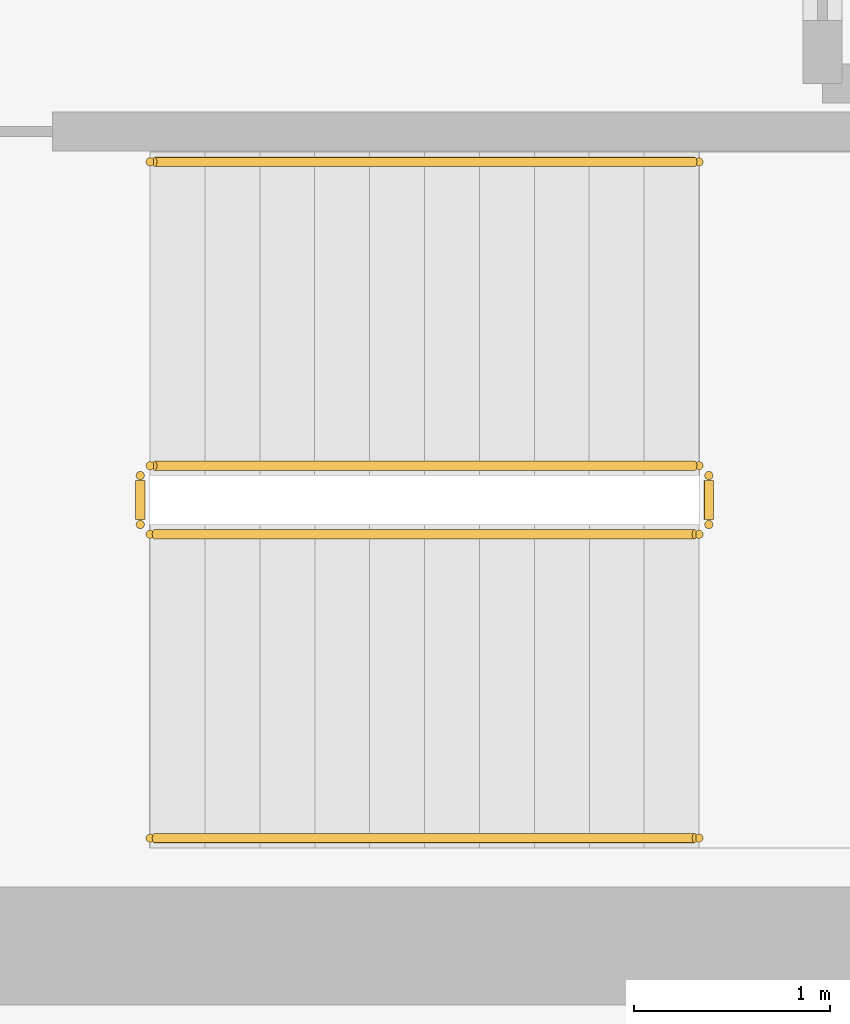
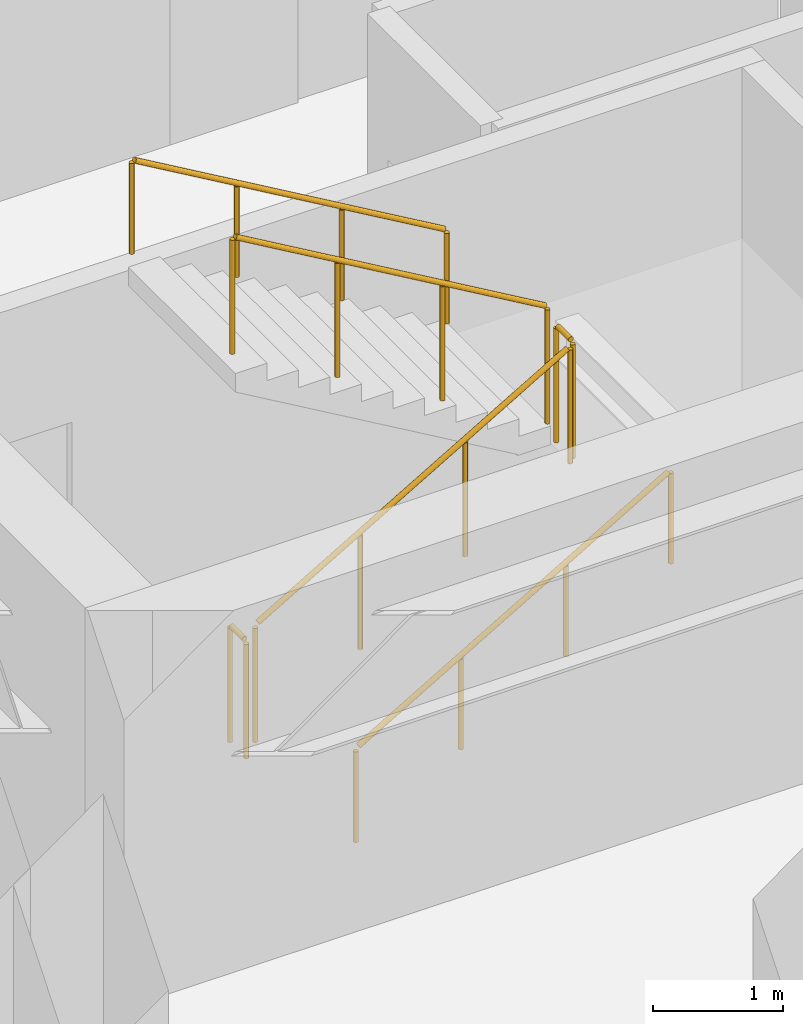
# One storey, part 12 of 12: 6 railings.
"""IFC4 building model written with IfcOpenShell, lengths in metres."""

from ifc_helpers import new_model, si_unit, direction, frame, origin, origin_2d, place, context, subcontext, project, spatial, circle, extrude, source, transform, mapped, material, layer, layer_set, type_object, element, save


model = new_model("IFC4")

# Units and contexts
model_context = context("Model", 3, precision=1e-05, world=origin(), true_north=direction((0.0, 1.0)))
body_context = subcontext(model_context, "Body", "Model", "MODEL_VIEW")
ifc_project = project(units=[si_unit("LENGTHUNIT", "METRE"), si_unit("AREAUNIT", "SQUARE_METRE"), si_unit("VOLUMEUNIT", "CUBIC_METRE"), si_unit("PLANEANGLEUNIT", "RADIAN"), si_unit("MASSUNIT", "GRAM", prefix="KILO")], contexts=[model_context])

# Site, building, storey
site_placement = place(None, origin())
site = spatial("IfcSite", under=ifc_project, at=site_placement, CompositionType="ELEMENT")
building_placement = place(site_placement, origin())
building = spatial("IfcBuilding", under=site, at=building_placement, Name="Kharzan Plaza Tower", CompositionType="ELEMENT")
storey_placement = place(building_placement, frame((0.0, 0.0, 164.699951171875)))
storey = spatial("IfcBuildingStorey", under=building, at=storey_placement, Name="L44", CompositionType="ELEMENT", Elevation=164.699951171875)

# Railings
ifc_material_1 = material(Name="Painted Galvanized Architectural Steel", Category="steel")
ifc_layer_1 = layer(ifc_material_1, 0.074951171875)
ifc_layer_set_1 = layer_set([ifc_layer_1], Name="Painted Galvanized Architectural Steel")
railing_type_1 = type_object("IfcRailingType", Name="RL-GUARD-1120", PredefinedType="BALUSTRADE", material=ifc_layer_set_1)
shared_shape_1 = source(origin(), body_context, "Body", "SweptSolid", [
    extrude(circle(Radius=0.02392578125, at=origin_2d()), frame((0.0, 0.0263671875, 1.09619140625), z_axis=(0.0, 1.0, 0.0), x_axis=(-1.0, 0.0, 0.0)), (0.0, 0.0, 1.0), 0.197021484375),
    extrude(circle(Radius=0.02099609375, at=origin_2d()), origin(), (0.0, 0.0, 1.0), 1.072021484375),
    extrude(circle(Radius=0.02099609375, at=origin_2d()), frame((0.0, 0.25, 0.0)), (0.0, 0.0, 1.0), 1.072021484375),
])
for number, where, name in (
    (1, (41.10009765625, 6.64990234375, 1.800048828125), "L44 ST-3 stair guard 2"),
    (2, (38.199951171875, 6.64990234375, 0.0), "L44 ST-3 stair guard 4"),
):
    element("IfcRailing", number, at=place(storey_placement, frame(where)), inside=storey, type_object=railing_type_1, Name=name, PredefinedType="BALUSTRADE", context=body_context, shape_type="MappedRepresentation", body=[
        mapped(shared_shape_1, transform((0.0, 0.0, 0.0), x_axis=(1.0, 0.0, 0.0), y_axis=(0.0, 1.0, 0.0), z_axis=(0.0, 0.0, 1.0))),
    ])
shared_shape_2 = source(origin(), body_context, "Body", "SweptSolid", [
    extrude(circle(Radius=0.02392578125, at=origin_2d()), frame((0.02294921875, 0.0, 1.109375), z_axis=(0.863360870873, 0.0, 0.504586966384), x_axis=(0.0, 1.0, 0.0)), (0.0, 0.0, 1.0), 3.190185546875),
    extrude(circle(Radius=0.02099609375, at=origin_2d()), origin(), (0.0, 0.0, 1.0), 1.072021484375),
    extrude(circle(Radius=0.02099609375, at=origin_2d()), frame((0.933349609375, 0.0, 0.54541015625)), (0.0, 0.0, 1.0), 1.072021484375),
    extrude(circle(Radius=0.02099609375, at=origin_2d()), frame((1.86669921875, 0.0, 1.091064453125)), (0.0, 0.0, 1.0), 1.072021484375),
    extrude(circle(Radius=0.02099609375, at=origin_2d()), frame((2.800048828125, 0.0, 1.636474609375)), (0.0, 0.0, 1.0), 1.072021484375),
])
railing_1_placement = place(storey_placement, frame((38.25, 6.60009765625, 0.16357421875)))
element("IfcRailing", 3, at=railing_1_placement, inside=storey, type_object=railing_type_1, Name="L44 ST-3 stair guard 1", PredefinedType="BALUSTRADE", context=body_context, shape_type="MappedRepresentation", body=[
    mapped(shared_shape_2, transform((0.0, 0.0, 0.0), x_axis=(1.0, 0.0, 0.0), y_axis=(0.0, 1.0, 0.0), z_axis=(0.0, 0.0, 1.0))),
])
shared_shape_3 = source(origin(), body_context, "Body", "SweptSolid", [
    extrude(circle(Radius=0.02392578125, at=origin_2d()), frame((-0.02294921875, 0.0, 1.109375), z_axis=(-0.863360870873, 0.0, 0.504586966384), x_axis=(0.0, -1.0, 0.0)), (0.0, 0.0, 1.0), 3.190185546875),
    extrude(circle(Radius=0.02099609375, at=origin_2d()), origin(), (0.0, 0.0, 1.0), 1.072021484375),
    extrude(circle(Radius=0.02099609375, at=origin_2d()), frame((-0.933349609375, 0.0, 0.54541015625)), (0.0, 0.0, 1.0), 1.072021484375),
    extrude(circle(Radius=0.02099609375, at=origin_2d()), frame((-1.86669921875, 0.0, 1.091064453125)), (0.0, 0.0, 1.0), 1.072021484375),
    extrude(circle(Radius=0.02099609375, at=origin_2d()), frame((-2.800048828125, 0.0, 1.636474609375)), (0.0, 0.0, 1.0), 1.072021484375),
])
railing_2_placement = place(storey_placement, frame((41.050048828125, 6.949951171875, 1.963623046875)))
element("IfcRailing", 4, at=railing_2_placement, inside=storey, type_object=railing_type_1, Name="L44 ST-3 stair guard 3", PredefinedType="BALUSTRADE", context=body_context, shape_type="MappedRepresentation", body=[
    mapped(shared_shape_3, transform((0.0, 0.0, 0.0), x_axis=(1.0, 0.0, 0.0), y_axis=(0.0, 1.0, 0.0), z_axis=(0.0, 0.0, 1.0))),
])
ifc_material_2 = material(Name="Brushed Stainless Steel", Category="steel")
ifc_layer_2 = layer(ifc_material_2, 0.050048828125)
ifc_layer_set_2 = layer_set([ifc_layer_2], Name="Brushed Stainless Steel")
railing_type_2 = type_object("IfcRailingType", Name="RL-STAIR-HR920", PredefinedType="HANDRAIL", material=ifc_layer_set_2)
shared_shape_4 = source(origin(), body_context, "Body", "SweptSolid", [
    extrude(circle(Radius=0.02392578125, at=origin_2d()), frame((0.02294921875, 0.0, 0.88916015625), z_axis=(0.863360870873, 0.0, 0.504586966384), x_axis=(0.0, 1.0, 0.0)), (0.0, 0.0, 1.0), 3.190185546875),
    extrude(circle(Radius=0.02099609375, at=origin_2d()), origin(), (0.0, 0.0, 1.0), 0.851806640625),
    extrude(circle(Radius=0.02099609375, at=origin_2d()), frame((0.933349609375, 0.0, 0.54541015625)), (0.0, 0.0, 1.0), 0.851806640625),
    extrude(circle(Radius=0.02099609375, at=origin_2d()), frame((1.86669921875, 0.0, 1.091064453125)), (0.0, 0.0, 1.0), 0.851806640625),
    extrude(circle(Radius=0.02099609375, at=origin_2d()), frame((2.800048828125, 0.0, 1.636474609375)), (0.0, 0.0, 1.0), 0.851806640625),
])
railing_3_placement = place(storey_placement, frame((38.25, 5.050048828125, 0.16357421875)))
element("IfcRailing", 5, at=railing_3_placement, inside=storey, type_object=railing_type_2, Name="L44 ST-3 stair handrail 1", PredefinedType="HANDRAIL", context=body_context, shape_type="MappedRepresentation", body=[
    mapped(shared_shape_4, transform((0.0, 0.0, 0.0), x_axis=(1.0, 0.0, 0.0), y_axis=(0.0, 1.0, 0.0), z_axis=(0.0, 0.0, 1.0))),
])
shared_shape_5 = source(origin(), body_context, "Body", "SweptSolid", [
    extrude(circle(Radius=0.02392578125, at=origin_2d()), frame((-0.02294921875, 0.0, 0.88916015625), z_axis=(-0.863360870873, 0.0, 0.504586966384), x_axis=(0.0, -1.0, 0.0)), (0.0, 0.0, 1.0), 3.190185546875),
    extrude(circle(Radius=0.02099609375, at=origin_2d()), origin(), (0.0, 0.0, 1.0), 0.851806640625),
    extrude(circle(Radius=0.02099609375, at=origin_2d()), frame((-0.933349609375, 0.0, 0.54541015625)), (0.0, 0.0, 1.0), 0.851806640625),
    extrude(circle(Radius=0.02099609375, at=origin_2d()), frame((-1.86669921875, 0.0, 1.091064453125)), (0.0, 0.0, 1.0), 0.851806640625),
    extrude(circle(Radius=0.02099609375, at=origin_2d()), frame((-2.800048828125, 0.0, 1.636474609375)), (0.0, 0.0, 1.0), 0.851806640625),
])
railing_4_placement = place(storey_placement, frame((41.050048828125, 8.5, 1.963623046875)))
element("IfcRailing", 6, at=railing_4_placement, inside=storey, type_object=railing_type_2, Name="L44 ST-3 stair handrail 2", PredefinedType="HANDRAIL", context=body_context, shape_type="MappedRepresentation", body=[
    mapped(shared_shape_5, transform((0.0, 0.0, 0.0), x_axis=(1.0, 0.0, 0.0), y_axis=(0.0, 1.0, 0.0), z_axis=(0.0, 0.0, 1.0))),
])

save(model, "model.ifc")
